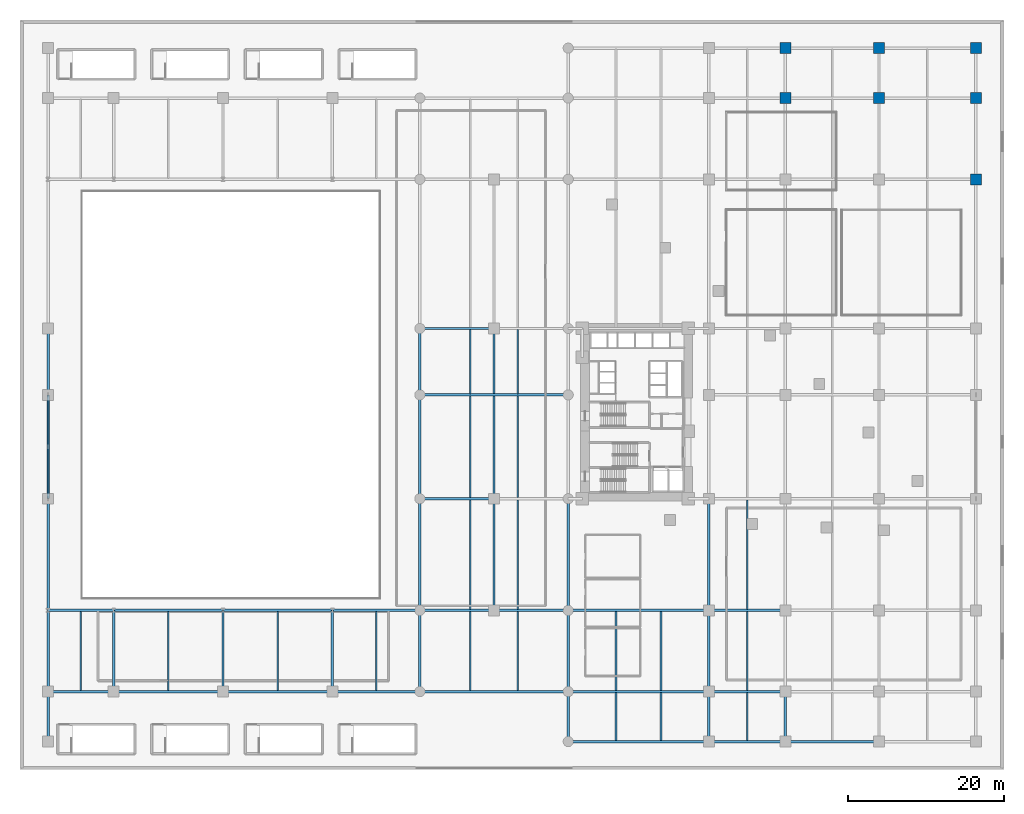
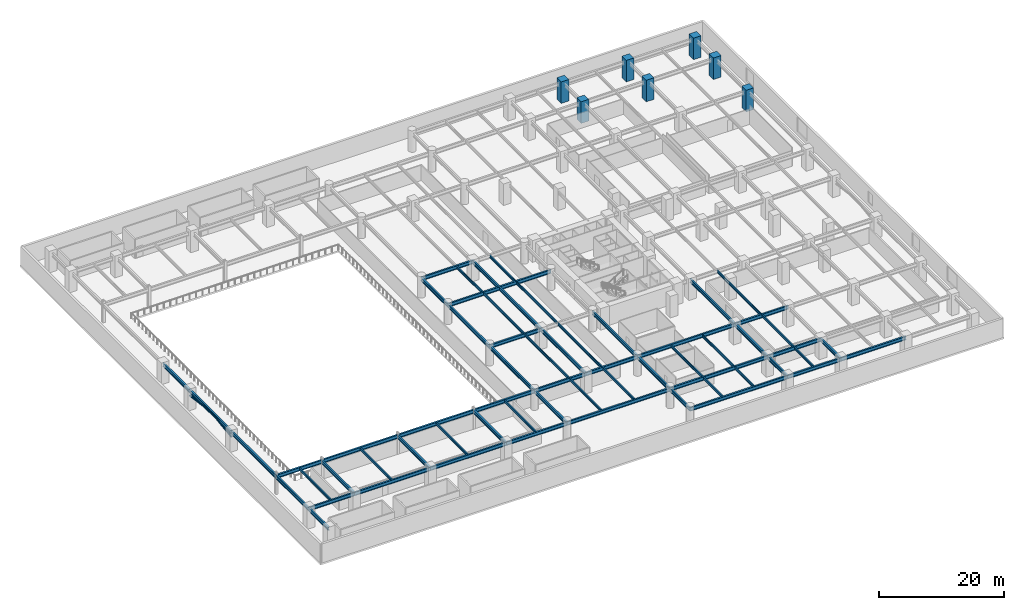
# One storey, part 4 of 20: 61 beams, 7 columns, 2 members.
"""IFC4 building model written with IfcOpenShell, lengths in metres."""

from ifc_helpers import new_model, si_unit, direction, frame, origin, origin_2d, place, context, subcontext, project, spatial, rectangle, hollow_circle, i_section, extrude, material, material_profile, profile_set, type_object, element, save


model = new_model("IFC4")

# Units and contexts
model_context = context("Model", 3, precision=1e-05, world=origin(), true_north=direction((0.0, 1.0)))
body_context = subcontext(model_context, "Body", "Model", "MODEL_VIEW")
ifc_project = project(units=[si_unit("LENGTHUNIT", "METRE"), si_unit("AREAUNIT", "SQUARE_METRE"), si_unit("VOLUMEUNIT", "CUBIC_METRE"), si_unit("PLANEANGLEUNIT", "RADIAN"), si_unit("MASSUNIT", "GRAM", prefix="KILO")], contexts=[model_context])

# Site, building, storey
site_placement = place(None, origin())
site = spatial("IfcSite", under=ifc_project, at=site_placement, CompositionType="ELEMENT")
building_placement = place(site_placement, origin())
building = spatial("IfcBuilding", under=site, at=building_placement, Name="Narakoshi Arena Tower", CompositionType="ELEMENT")
storey_placement = place(building_placement, frame((0.0, 0.0, 17.39990234375)))
storey = spatial("IfcBuildingStorey", under=building, at=storey_placement, Name="L04", CompositionType="ELEMENT", Elevation=17.39990234375)

# Columns
ifc_material_1 = material(Name="Concrete C60/75", Category="concrete")
ifc_material_profile_1 = material_profile(ifc_material_1, rectangle(XDim=1.39990234375, YDim=1.39990234375, at=origin_2d()), Name="RC1400x1400")
ifc_profile_set_1 = profile_set([ifc_material_profile_1], Name="Concrete C60/75")
column_type = type_object("IfcColumnType", Name="COL-RC1400", PredefinedType="COLUMN", material=ifc_profile_set_1)
for number, where, z_axis, x_axis, name in (
    (1, (98.0, 86.0, 0.0), (0.0, 0.0, 1.0), (1.0, 0.0, 0.0), "L04 Podium Column PC58"),
    (2, (98.0, 92.39990234375, 0.0), (0.0, 0.0, 1.0), (1.0, 0.0, 0.0), "L04 Podium Column PC59"),
    (3, (110.0, 86.0, 0.0), (0.0, 0.0, 1.0), (1.0, 0.0, 0.0), "L04 Podium Column PC67"),
    (4, (110.0, 92.39990234375, 0.0), (0.0, 0.0, 1.0), (1.0, 0.0, 0.0), "L04 Podium Column PC68"),
    (5, (122.39990234375, 75.60009765625, 0.0), (0.0, 0.0, 1.0), (1.0, 0.0, 0.0), "L04 Podium Column PC75"),
    (6, (122.39990234375, 86.0, 0.0), (0.0, 0.0, 1.0), (1.0, 0.0, 0.0), "L04 Podium Column PC76"),
    (7, (122.39990234375, 92.39990234375, 0.0), (0.0, 0.0, 1.0), (1.0, 0.0, 0.0), "L04 Podium Column PC77"),
):
    element("IfcColumn", number, at=place(storey_placement, frame(where, z_axis=z_axis, x_axis=x_axis)), inside=storey, type_object=column_type, Name=name, PredefinedType="COLUMN", context=body_context, shape_type="SweptSolid", body=[
        extrude(rectangle(XDim=1.39990234375, YDim=1.39990234375, at=origin_2d()), origin(), (0.0, 0.0, 1.0), 4.2001953125),
    ])

# Beams
ifc_material_2 = material(Name="Structural steel S355J2", Category="steel")
ifc_material_profile_2 = material_profile(ifc_material_2, i_section(OverallWidth=0.300048828125, OverallDepth=0.699951171875, WebThickness=0.01708984375, FlangeThickness=0.031982421875, FilletRadius=0.027099609375, at=origin_2d()), Name="HE700B")
ifc_profile_set_2 = profile_set([ifc_material_profile_2], Name="Structural steel S355J2")
beam_type_1 = type_object("IfcBeamType", Name="BM-PRI-700", PredefinedType="BEAM", material=ifc_profile_set_2)
beam_1_placement = place(storey_placement, frame((70.199951171875, 3.60009765625, 3.35009765625), z_axis=(1.0, 0.0, 0.0), x_axis=(0.0, 1.0, 0.0)))
element("IfcBeam", 8, at=beam_1_placement, inside=storey, type_object=beam_type_1, Name="L04 Podium Primary X-Girder 001", PredefinedType="BEAM", context=body_context, shape_type="SweptSolid", body=[
    extrude(i_section(OverallWidth=0.300048828125, OverallDepth=0.699951171875, WebThickness=0.01708984375, FlangeThickness=0.031982421875, FilletRadius=0.027099609375, at=origin_2d()), origin(), (0.0, 0.0, 1.0), 18.0),
])
beam_2_placement = place(storey_placement, frame((88.199951171875, 3.60009765625, 3.35009765625), z_axis=(1.0, 0.0, 0.0), x_axis=(0.0, 1.0, 0.0)))
element("IfcBeam", 9, at=beam_2_placement, inside=storey, type_object=beam_type_1, Name="L04 Podium Primary X-Girder 002", PredefinedType="BEAM", context=body_context, shape_type="SweptSolid", body=[
    extrude(i_section(OverallWidth=0.300048828125, OverallDepth=0.699951171875, WebThickness=0.01708984375, FlangeThickness=0.031982421875, FilletRadius=0.027099609375, at=origin_2d()), origin(), (0.0, 0.0, 1.0), 9.800048828125),
])
beam_3_placement = place(storey_placement, frame((98.0, 3.60009765625, 3.35009765625), z_axis=(1.0, 0.0, 0.0), x_axis=(0.0, 1.0, 0.0)))
element("IfcBeam", 10, at=beam_3_placement, inside=storey, type_object=beam_type_1, Name="L04 Podium Primary X-Girder 003", PredefinedType="BEAM", context=body_context, shape_type="SweptSolid", body=[
    extrude(i_section(OverallWidth=0.300048828125, OverallDepth=0.699951171875, WebThickness=0.01708984375, FlangeThickness=0.031982421875, FilletRadius=0.027099609375, at=origin_2d()), origin(), (0.0, 0.0, 1.0), 12.0),
])
beam_4_placement = place(storey_placement, frame((3.60009765625, 10.0, 3.35009765625), z_axis=(1.0, 0.0, 0.0), x_axis=(0.0, 1.0, 0.0)))
element("IfcBeam", 11, at=beam_4_placement, inside=storey, type_object=beam_type_1, Name="L04 Podium Primary X-Girder 005", PredefinedType="BEAM", context=body_context, shape_type="SweptSolid", body=[
    extrude(i_section(OverallWidth=0.300048828125, OverallDepth=0.699951171875, WebThickness=0.01708984375, FlangeThickness=0.031982421875, FilletRadius=0.027099609375, at=origin_2d()), origin(), (0.0, 0.0, 1.0), 8.39990234375),
])
for number, where, z_axis, x_axis, name in (
    (12, (12.0, 10.0, 3.35009765625), (1.0, 0.0, 0.0), (0.0, 1.0, 0.0), "L04 Podium Primary X-Girder 006"),
    (13, (26.0, 10.0, 3.35009765625), (1.0, 0.0, 0.0), (0.0, 1.0, 0.0), "L04 Podium Primary X-Girder 007"),
):
    element("IfcBeam", number, at=place(storey_placement, frame(where, z_axis=z_axis, x_axis=x_axis)), inside=storey, type_object=beam_type_1, Name=name, PredefinedType="BEAM", context=body_context, shape_type="SweptSolid", body=[
        extrude(i_section(OverallWidth=0.300048828125, OverallDepth=0.699951171875, WebThickness=0.01708984375, FlangeThickness=0.031982421875, FilletRadius=0.027099609375, at=origin_2d()), origin(), (0.0, 0.0, 1.0), 14.0),
    ])
beam_5_placement = place(storey_placement, frame((40.0, 10.0, 3.35009765625), z_axis=(1.0, 0.0, 0.0), x_axis=(0.0, 1.0, 0.0)))
element("IfcBeam", 14, at=beam_5_placement, inside=storey, type_object=beam_type_1, Name="L04 Podium Primary X-Girder 008", PredefinedType="BEAM", context=body_context, shape_type="SweptSolid", body=[
    extrude(i_section(OverallWidth=0.300048828125, OverallDepth=0.699951171875, WebThickness=0.01708984375, FlangeThickness=0.031982421875, FilletRadius=0.027099609375, at=origin_2d()), origin(), (0.0, 0.0, 1.0), 11.199951171875),
])
beam_6_placement = place(storey_placement, frame((51.199951171875, 10.0, 3.35009765625), z_axis=(1.0, 0.0, 0.0), x_axis=(0.0, 1.0, 0.0)))
element("IfcBeam", 15, at=beam_6_placement, inside=storey, type_object=beam_type_1, Name="L04 Podium Primary X-Girder 009", PredefinedType="BEAM", context=body_context, shape_type="SweptSolid", body=[
    extrude(i_section(OverallWidth=0.300048828125, OverallDepth=0.699951171875, WebThickness=0.01708984375, FlangeThickness=0.031982421875, FilletRadius=0.027099609375, at=origin_2d()), origin(), (0.0, 0.0, 1.0), 19.0),
])
beam_7_placement = place(storey_placement, frame((70.199951171875, 10.0, 3.35009765625), z_axis=(1.0, 0.0, 0.0), x_axis=(0.0, 1.0, 0.0)))
element("IfcBeam", 16, at=beam_7_placement, inside=storey, type_object=beam_type_1, Name="L04 Podium Primary X-Girder 010", PredefinedType="BEAM", context=body_context, shape_type="SweptSolid", body=[
    extrude(i_section(OverallWidth=0.300048828125, OverallDepth=0.699951171875, WebThickness=0.01708984375, FlangeThickness=0.031982421875, FilletRadius=0.027099609375, at=origin_2d()), origin(), (0.0, 0.0, 1.0), 18.0),
])
beam_8_placement = place(storey_placement, frame((88.199951171875, 10.0, 3.35009765625), z_axis=(1.0, 0.0, 0.0), x_axis=(0.0, 1.0, 0.0)))
element("IfcBeam", 17, at=beam_8_placement, inside=storey, type_object=beam_type_1, Name="L04 Podium Primary X-Girder 011", PredefinedType="BEAM", context=body_context, shape_type="SweptSolid", body=[
    extrude(i_section(OverallWidth=0.300048828125, OverallDepth=0.699951171875, WebThickness=0.01708984375, FlangeThickness=0.031982421875, FilletRadius=0.027099609375, at=origin_2d()), origin(), (0.0, 0.0, 1.0), 9.800048828125),
])
beam_9_placement = place(storey_placement, frame((3.60009765625, 20.39990234375, 3.35009765625), z_axis=(1.0, 0.0, 0.0), x_axis=(0.0, 1.0, 0.0)))
element("IfcBeam", 18, at=beam_9_placement, inside=storey, type_object=beam_type_1, Name="L04 Podium Primary X-Girder 014", PredefinedType="BEAM", context=body_context, shape_type="SweptSolid", body=[
    extrude(i_section(OverallWidth=0.300048828125, OverallDepth=0.699951171875, WebThickness=0.01708984375, FlangeThickness=0.031982421875, FilletRadius=0.027099609375, at=origin_2d()), origin(), (0.0, 0.0, 1.0), 8.39990234375),
])
for number, where, z_axis, x_axis, name in (
    (19, (12.0, 20.39990234375, 3.35009765625), (1.0, 0.0, 0.0), (0.0, 1.0, 0.0), "L04 Podium Primary X-Girder 015"),
    (20, (26.0, 20.39990234375, 3.35009765625), (1.0, 0.0, 0.0), (0.0, 1.0, 0.0), "L04 Podium Primary X-Girder 016"),
):
    element("IfcBeam", number, at=place(storey_placement, frame(where, z_axis=z_axis, x_axis=x_axis)), inside=storey, type_object=beam_type_1, Name=name, PredefinedType="BEAM", context=body_context, shape_type="SweptSolid", body=[
        extrude(i_section(OverallWidth=0.300048828125, OverallDepth=0.699951171875, WebThickness=0.01708984375, FlangeThickness=0.031982421875, FilletRadius=0.027099609375, at=origin_2d()), origin(), (0.0, 0.0, 1.0), 14.0),
    ])
beam_10_placement = place(storey_placement, frame((40.0, 20.39990234375, 3.35009765625), z_axis=(1.0, 0.0, 0.0), x_axis=(0.0, 1.0, 0.0)))
element("IfcBeam", 21, at=beam_10_placement, inside=storey, type_object=beam_type_1, Name="L04 Podium Primary X-Girder 017", PredefinedType="BEAM", context=body_context, shape_type="SweptSolid", body=[
    extrude(i_section(OverallWidth=0.300048828125, OverallDepth=0.699951171875, WebThickness=0.01708984375, FlangeThickness=0.031982421875, FilletRadius=0.027099609375, at=origin_2d()), origin(), (0.0, 0.0, 1.0), 11.199951171875),
])
for number, where, z_axis, x_axis, name in (
    (22, (51.199951171875, 20.39990234375, 3.35009765625), (1.0, 0.0, 0.0), (0.0, 1.0, 0.0), "L04 Podium Primary X-Girder 018"),
    (23, (60.699951171875, 20.39990234375, 3.35009765625), (1.0, 0.0, 0.0), (0.0, 1.0, 0.0), "L04 Podium Primary X-Girder 019"),
):
    element("IfcBeam", number, at=place(storey_placement, frame(where, z_axis=z_axis, x_axis=x_axis)), inside=storey, type_object=beam_type_1, Name=name, PredefinedType="BEAM", context=body_context, shape_type="SweptSolid", body=[
        extrude(i_section(OverallWidth=0.300048828125, OverallDepth=0.699951171875, WebThickness=0.01708984375, FlangeThickness=0.031982421875, FilletRadius=0.027099609375, at=origin_2d()), origin(), (0.0, 0.0, 1.0), 9.5),
    ])
beam_11_placement = place(storey_placement, frame((70.199951171875, 20.39990234375, 3.35009765625), z_axis=(1.0, 0.0, 0.0), x_axis=(0.0, 1.0, 0.0)))
element("IfcBeam", 24, at=beam_11_placement, inside=storey, type_object=beam_type_1, Name="L04 Podium Primary X-Girder 020", PredefinedType="BEAM", context=body_context, shape_type="SweptSolid", body=[
    extrude(i_section(OverallWidth=0.300048828125, OverallDepth=0.699951171875, WebThickness=0.01708984375, FlangeThickness=0.031982421875, FilletRadius=0.027099609375, at=origin_2d()), origin(), (0.0, 0.0, 1.0), 18.0),
])
beam_12_placement = place(storey_placement, frame((88.199951171875, 20.39990234375, 3.35009765625), z_axis=(1.0, 0.0, 0.0), x_axis=(0.0, 1.0, 0.0)))
element("IfcBeam", 25, at=beam_12_placement, inside=storey, type_object=beam_type_1, Name="L04 Podium Primary X-Girder 021", PredefinedType="BEAM", context=body_context, shape_type="SweptSolid", body=[
    extrude(i_section(OverallWidth=0.300048828125, OverallDepth=0.699951171875, WebThickness=0.01708984375, FlangeThickness=0.031982421875, FilletRadius=0.027099609375, at=origin_2d()), origin(), (0.0, 0.0, 1.0), 9.800048828125),
])
beam_13_placement = place(storey_placement, frame((51.199951171875, 34.699951171875, 3.35009765625), z_axis=(1.0, 0.0, 0.0), x_axis=(0.0, 1.0, 0.0)))
element("IfcBeam", 26, at=beam_13_placement, inside=storey, type_object=beam_type_1, Name="L04 Podium Primary X-Girder 024", PredefinedType="BEAM", context=body_context, shape_type="SweptSolid", body=[
    extrude(i_section(OverallWidth=0.300048828125, OverallDepth=0.699951171875, WebThickness=0.01708984375, FlangeThickness=0.031982421875, FilletRadius=0.027099609375, at=origin_2d()), origin(), (0.0, 0.0, 1.0), 9.5),
])
beam_14_placement = place(storey_placement, frame((51.199951171875, 48.0, 3.35009765625), z_axis=(1.0, 0.0, 0.0), x_axis=(0.0, 1.0, 0.0)))
element("IfcBeam", 27, at=beam_14_placement, inside=storey, type_object=beam_type_1, Name="L04 Podium Primary X-Girder 031", PredefinedType="BEAM", context=body_context, shape_type="SweptSolid", body=[
    extrude(i_section(OverallWidth=0.300048828125, OverallDepth=0.699951171875, WebThickness=0.01708984375, FlangeThickness=0.031982421875, FilletRadius=0.027099609375, at=origin_2d()), origin(), (0.0, 0.0, 1.0), 19.0),
])
beam_15_placement = place(storey_placement, frame((51.199951171875, 56.5, 3.35009765625), z_axis=(1.0, 0.0, 0.0), x_axis=(0.0, 1.0, 0.0)))
element("IfcBeam", 28, at=beam_15_placement, inside=storey, type_object=beam_type_1, Name="L04 Podium Primary X-Girder 035", PredefinedType="BEAM", context=body_context, shape_type="SweptSolid", body=[
    extrude(i_section(OverallWidth=0.300048828125, OverallDepth=0.699951171875, WebThickness=0.01708984375, FlangeThickness=0.031982421875, FilletRadius=0.027099609375, at=origin_2d()), origin(), (0.0, 0.0, 1.0), 9.5),
])
beam_16_placement = place(storey_placement, frame((3.60009765625, 3.60009765625, 3.35009765625), z_axis=(0.0, 1.0, 0.0), x_axis=(-1.0, 0.0, 0.0)))
element("IfcBeam", 29, at=beam_16_placement, inside=storey, type_object=beam_type_1, Name="L04 Podium Primary Y-Girder 066", PredefinedType="BEAM", context=body_context, shape_type="SweptSolid", body=[
    extrude(i_section(OverallWidth=0.300048828125, OverallDepth=0.699951171875, WebThickness=0.01708984375, FlangeThickness=0.031982421875, FilletRadius=0.027099609375, at=origin_2d()), origin(), (0.0, 0.0, 1.0), 6.39990234375),
])
beam_17_placement = place(storey_placement, frame((3.60009765625, 10.0, 3.35009765625), z_axis=(0.0, 1.0, 0.0), x_axis=(-1.0, 0.0, 0.0)))
element("IfcBeam", 30, at=beam_17_placement, inside=storey, type_object=beam_type_1, Name="L04 Podium Primary Y-Girder 067", PredefinedType="BEAM", context=body_context, shape_type="SweptSolid", body=[
    extrude(i_section(OverallWidth=0.300048828125, OverallDepth=0.699951171875, WebThickness=0.01708984375, FlangeThickness=0.031982421875, FilletRadius=0.027099609375, at=origin_2d()), origin(), (0.0, 0.0, 1.0), 10.39990234375),
])
beam_18_placement = place(storey_placement, frame((3.60009765625, 20.39990234375, 3.35009765625), z_axis=(0.0, 1.0, 0.0), x_axis=(-1.0, 0.0, 0.0)))
element("IfcBeam", 31, at=beam_18_placement, inside=storey, type_object=beam_type_1, Name="L04 Podium Primary Y-Girder 068", PredefinedType="BEAM", context=body_context, shape_type="SweptSolid", body=[
    extrude(i_section(OverallWidth=0.300048828125, OverallDepth=0.699951171875, WebThickness=0.01708984375, FlangeThickness=0.031982421875, FilletRadius=0.027099609375, at=origin_2d()), origin(), (0.0, 0.0, 1.0), 14.300048828125),
])
beam_19_placement = place(storey_placement, frame((3.60009765625, 34.699951171875, 3.35009765625), z_axis=(0.0, 1.0, 0.0), x_axis=(-1.0, 0.0, 0.0)))
element("IfcBeam", 32, at=beam_19_placement, inside=storey, type_object=beam_type_1, Name="L04 Podium Primary Y-Girder 069", PredefinedType="BEAM", context=body_context, shape_type="SweptSolid", body=[
    extrude(i_section(OverallWidth=0.300048828125, OverallDepth=0.699951171875, WebThickness=0.01708984375, FlangeThickness=0.031982421875, FilletRadius=0.027099609375, at=origin_2d()), origin(), (0.0, 0.0, 1.0), 13.300048828125),
])
beam_20_placement = place(storey_placement, frame((3.60009765625, 48.0, 3.35009765625), z_axis=(0.0, 1.0, 0.0), x_axis=(-1.0, 0.0, 0.0)))
element("IfcBeam", 33, at=beam_20_placement, inside=storey, type_object=beam_type_1, Name="L04 Podium Primary Y-Girder 070", PredefinedType="BEAM", context=body_context, shape_type="SweptSolid", body=[
    extrude(i_section(OverallWidth=0.300048828125, OverallDepth=0.699951171875, WebThickness=0.01708984375, FlangeThickness=0.031982421875, FilletRadius=0.027099609375, at=origin_2d()), origin(), (0.0, 0.0, 1.0), 8.5),
])
for number, where, z_axis, x_axis, name in (
    (34, (12.0, 10.0, 3.35009765625), (0.0, 1.0, 0.0), (-1.0, 0.0, 0.0), "L04 Podium Primary Y-Girder 074"),
    (35, (26.0, 10.0, 3.35009765625), (0.0, 1.0, 0.0), (-1.0, 0.0, 0.0), "L04 Podium Primary Y-Girder 076"),
    (36, (40.0, 10.0, 3.35009765625), (0.0, 1.0, 0.0), (-1.0, 0.0, 0.0), "L04 Podium Primary Y-Girder 078"),
    (37, (51.199951171875, 10.0, 3.35009765625), (0.0, 1.0, 0.0), (-1.0, 0.0, 0.0), "L04 Podium Primary Y-Girder 080"),
):
    element("IfcBeam", number, at=place(storey_placement, frame(where, z_axis=z_axis, x_axis=x_axis)), inside=storey, type_object=beam_type_1, Name=name, PredefinedType="BEAM", context=body_context, shape_type="SweptSolid", body=[
        extrude(i_section(OverallWidth=0.300048828125, OverallDepth=0.699951171875, WebThickness=0.01708984375, FlangeThickness=0.031982421875, FilletRadius=0.027099609375, at=origin_2d()), origin(), (0.0, 0.0, 1.0), 10.39990234375),
    ])
beam_21_placement = place(storey_placement, frame((51.199951171875, 20.39990234375, 3.35009765625), z_axis=(0.0, 1.0, 0.0), x_axis=(-1.0, 0.0, 0.0)))
element("IfcBeam", 38, at=beam_21_placement, inside=storey, type_object=beam_type_1, Name="L04 Podium Primary Y-Girder 081", PredefinedType="BEAM", context=body_context, shape_type="SweptSolid", body=[
    extrude(i_section(OverallWidth=0.300048828125, OverallDepth=0.699951171875, WebThickness=0.01708984375, FlangeThickness=0.031982421875, FilletRadius=0.027099609375, at=origin_2d()), origin(), (0.0, 0.0, 1.0), 14.300048828125),
])
beam_22_placement = place(storey_placement, frame((51.199951171875, 34.699951171875, 3.35009765625), z_axis=(0.0, 1.0, 0.0), x_axis=(-1.0, 0.0, 0.0)))
element("IfcBeam", 39, at=beam_22_placement, inside=storey, type_object=beam_type_1, Name="L04 Podium Primary Y-Girder 082", PredefinedType="BEAM", context=body_context, shape_type="SweptSolid", body=[
    extrude(i_section(OverallWidth=0.300048828125, OverallDepth=0.699951171875, WebThickness=0.01708984375, FlangeThickness=0.031982421875, FilletRadius=0.027099609375, at=origin_2d()), origin(), (0.0, 0.0, 1.0), 13.300048828125),
])
beam_23_placement = place(storey_placement, frame((51.199951171875, 48.0, 3.35009765625), z_axis=(0.0, 1.0, 0.0), x_axis=(-1.0, 0.0, 0.0)))
element("IfcBeam", 40, at=beam_23_placement, inside=storey, type_object=beam_type_1, Name="L04 Podium Primary Y-Girder 083", PredefinedType="BEAM", context=body_context, shape_type="SweptSolid", body=[
    extrude(i_section(OverallWidth=0.300048828125, OverallDepth=0.699951171875, WebThickness=0.01708984375, FlangeThickness=0.031982421875, FilletRadius=0.027099609375, at=origin_2d()), origin(), (0.0, 0.0, 1.0), 8.5),
])
beam_24_placement = place(storey_placement, frame((60.699951171875, 20.39990234375, 3.35009765625), z_axis=(0.0, 1.0, 0.0), x_axis=(-1.0, 0.0, 0.0)))
element("IfcBeam", 41, at=beam_24_placement, inside=storey, type_object=beam_type_1, Name="L04 Podium Primary Y-Girder 086", PredefinedType="BEAM", context=body_context, shape_type="SweptSolid", body=[
    extrude(i_section(OverallWidth=0.300048828125, OverallDepth=0.699951171875, WebThickness=0.01708984375, FlangeThickness=0.031982421875, FilletRadius=0.027099609375, at=origin_2d()), origin(), (0.0, 0.0, 1.0), 14.300048828125),
])
beam_25_placement = place(storey_placement, frame((60.699951171875, 34.699951171875, 3.35009765625), z_axis=(0.0, 1.0, 0.0), x_axis=(-1.0, 0.0, 0.0)))
element("IfcBeam", 42, at=beam_25_placement, inside=storey, type_object=beam_type_1, Name="L04 Podium Primary Y-Girder 087", PredefinedType="BEAM", context=body_context, shape_type="SweptSolid", body=[
    extrude(i_section(OverallWidth=0.300048828125, OverallDepth=0.699951171875, WebThickness=0.01708984375, FlangeThickness=0.031982421875, FilletRadius=0.027099609375, at=origin_2d()), origin(), (0.0, 0.0, 1.0), 21.800048828125),
])
beam_26_placement = place(storey_placement, frame((70.199951171875, 3.60009765625, 3.35009765625), z_axis=(0.0, 1.0, 0.0), x_axis=(-1.0, 0.0, 0.0)))
element("IfcBeam", 43, at=beam_26_placement, inside=storey, type_object=beam_type_1, Name="L04 Podium Primary Y-Girder 089", PredefinedType="BEAM", context=body_context, shape_type="SweptSolid", body=[
    extrude(i_section(OverallWidth=0.300048828125, OverallDepth=0.699951171875, WebThickness=0.01708984375, FlangeThickness=0.031982421875, FilletRadius=0.027099609375, at=origin_2d()), origin(), (0.0, 0.0, 1.0), 6.39990234375),
])
beam_27_placement = place(storey_placement, frame((70.199951171875, 10.0, 3.35009765625), z_axis=(0.0, 1.0, 0.0), x_axis=(-1.0, 0.0, 0.0)))
element("IfcBeam", 44, at=beam_27_placement, inside=storey, type_object=beam_type_1, Name="L04 Podium Primary Y-Girder 090", PredefinedType="BEAM", context=body_context, shape_type="SweptSolid", body=[
    extrude(i_section(OverallWidth=0.300048828125, OverallDepth=0.699951171875, WebThickness=0.01708984375, FlangeThickness=0.031982421875, FilletRadius=0.027099609375, at=origin_2d()), origin(), (0.0, 0.0, 1.0), 10.39990234375),
])
beam_28_placement = place(storey_placement, frame((70.199951171875, 20.39990234375, 3.35009765625), z_axis=(0.0, 1.0, 0.0), x_axis=(-1.0, 0.0, 0.0)))
element("IfcBeam", 45, at=beam_28_placement, inside=storey, type_object=beam_type_1, Name="L04 Podium Primary Y-Girder 091", PredefinedType="BEAM", context=body_context, shape_type="SweptSolid", body=[
    extrude(i_section(OverallWidth=0.300048828125, OverallDepth=0.699951171875, WebThickness=0.01708984375, FlangeThickness=0.031982421875, FilletRadius=0.027099609375, at=origin_2d()), origin(), (0.0, 0.0, 1.0), 14.300048828125),
])
beam_29_placement = place(storey_placement, frame((88.199951171875, 3.60009765625, 3.35009765625), z_axis=(0.0, 1.0, 0.0), x_axis=(-1.0, 0.0, 0.0)))
element("IfcBeam", 46, at=beam_29_placement, inside=storey, type_object=beam_type_1, Name="L04 Podium Primary Y-Girder 098", PredefinedType="BEAM", context=body_context, shape_type="SweptSolid", body=[
    extrude(i_section(OverallWidth=0.300048828125, OverallDepth=0.699951171875, WebThickness=0.01708984375, FlangeThickness=0.031982421875, FilletRadius=0.027099609375, at=origin_2d()), origin(), (0.0, 0.0, 1.0), 6.39990234375),
])
beam_30_placement = place(storey_placement, frame((88.199951171875, 10.0, 3.35009765625), z_axis=(0.0, 1.0, 0.0), x_axis=(-1.0, 0.0, 0.0)))
element("IfcBeam", 47, at=beam_30_placement, inside=storey, type_object=beam_type_1, Name="L04 Podium Primary Y-Girder 099", PredefinedType="BEAM", context=body_context, shape_type="SweptSolid", body=[
    extrude(i_section(OverallWidth=0.300048828125, OverallDepth=0.699951171875, WebThickness=0.01708984375, FlangeThickness=0.031982421875, FilletRadius=0.027099609375, at=origin_2d()), origin(), (0.0, 0.0, 1.0), 10.39990234375),
])
beam_31_placement = place(storey_placement, frame((88.199951171875, 20.39990234375, 3.35009765625), z_axis=(0.0, 1.0, 0.0), x_axis=(-1.0, 0.0, 0.0)))
element("IfcBeam", 48, at=beam_31_placement, inside=storey, type_object=beam_type_1, Name="L04 Podium Primary Y-Girder 100", PredefinedType="BEAM", context=body_context, shape_type="SweptSolid", body=[
    extrude(i_section(OverallWidth=0.300048828125, OverallDepth=0.699951171875, WebThickness=0.01708984375, FlangeThickness=0.031982421875, FilletRadius=0.027099609375, at=origin_2d()), origin(), (0.0, 0.0, 1.0), 14.300048828125),
])
beam_32_placement = place(storey_placement, frame((98.0, 3.60009765625, 3.35009765625), z_axis=(0.0, 1.0, 0.0), x_axis=(-1.0, 0.0, 0.0)))
element("IfcBeam", 49, at=beam_32_placement, inside=storey, type_object=beam_type_1, Name="L04 Podium Primary Y-Girder 106", PredefinedType="BEAM", context=body_context, shape_type="SweptSolid", body=[
    extrude(i_section(OverallWidth=0.300048828125, OverallDepth=0.699951171875, WebThickness=0.01708984375, FlangeThickness=0.031982421875, FilletRadius=0.027099609375, at=origin_2d()), origin(), (0.0, 0.0, 1.0), 6.39990234375),
])
ifc_material_profile_3 = material_profile(ifc_material_2, i_section(OverallWidth=0.199951171875, OverallDepth=0.5, WebThickness=0.01025390625, FlangeThickness=0.01611328125, FilletRadius=0.02099609375, at=origin_2d()), Name="IPE500")
ifc_profile_set_3 = profile_set([ifc_material_profile_3], Name="Structural steel S355J2")
beam_type_2 = type_object("IfcBeamType", Name="BM-SEC-500", PredefinedType="JOIST", material=ifc_profile_set_3)
for number, where, z_axis, x_axis, name in (
    (50, (7.800048828125, 10.135009765625, 3.4501953125), (0.0, 1.0, 0.0), (-1.0, 0.0, 0.0), "L04 Podium Composite Floor Joist 001"),
    (51, (19.0, 10.135009765625, 3.4501953125), (0.0, 1.0, 0.0), (-1.0, 0.0, 0.0), "L04 Podium Composite Floor Joist 003"),
    (52, (33.0, 10.135009765625, 3.4501953125), (0.0, 1.0, 0.0), (-1.0, 0.0, 0.0), "L04 Podium Composite Floor Joist 005"),
    (53, (45.60009765625, 10.135009765625, 3.4501953125), (0.0, 1.0, 0.0), (-1.0, 0.0, 0.0), "L04 Podium Composite Floor Joist 007"),
    (54, (57.659912109375, 10.135009765625, 3.4501953125), (0.0, 1.0, 0.0), (-1.0, 0.0, 0.0), "L04 Podium Composite Floor Joist 009"),
):
    element("IfcBeam", number, at=place(storey_placement, frame(where, z_axis=z_axis, x_axis=x_axis)), inside=storey, type_object=beam_type_2, Name=name, PredefinedType="JOIST", context=body_context, shape_type="SweptSolid", body=[
        extrude(i_section(OverallWidth=0.199951171875, OverallDepth=0.5, WebThickness=0.01025390625, FlangeThickness=0.01611328125, FilletRadius=0.02099609375, at=origin_2d()), origin(), (0.0, 0.0, 1.0), 10.1298828125),
    ])
beam_33_placement = place(storey_placement, frame((57.659912109375, 20.534912109375, 3.4501953125), z_axis=(0.0, 1.0, 0.0), x_axis=(-1.0, 0.0, 0.0)))
element("IfcBeam", 55, at=beam_33_placement, inside=storey, type_object=beam_type_2, Name="L04 Podium Composite Floor Joist 010", PredefinedType="JOIST", context=body_context, shape_type="SweptSolid", body=[
    extrude(i_section(OverallWidth=0.199951171875, OverallDepth=0.5, WebThickness=0.01025390625, FlangeThickness=0.01611328125, FilletRadius=0.02099609375, at=origin_2d()), origin(), (0.0, 0.0, 1.0), 14.030029296875),
])
beam_34_placement = place(storey_placement, frame((57.659912109375, 34.8349609375, 3.4501953125), z_axis=(0.0, 1.0, 0.0), x_axis=(-1.0, 0.0, 0.0)))
element("IfcBeam", 56, at=beam_34_placement, inside=storey, type_object=beam_type_2, Name="L04 Podium Composite Floor Joist 011", PredefinedType="JOIST", context=body_context, shape_type="SweptSolid", body=[
    extrude(i_section(OverallWidth=0.199951171875, OverallDepth=0.5, WebThickness=0.01025390625, FlangeThickness=0.01611328125, FilletRadius=0.02099609375, at=origin_2d()), origin(), (0.0, 0.0, 1.0), 13.030029296875),
])
beam_35_placement = place(storey_placement, frame((57.659912109375, 48.135009765625, 3.4501953125), z_axis=(0.0, 1.0, 0.0), x_axis=(-1.0, 0.0, 0.0)))
element("IfcBeam", 57, at=beam_35_placement, inside=storey, type_object=beam_type_2, Name="L04 Podium Composite Floor Joist 012", PredefinedType="JOIST", context=body_context, shape_type="SweptSolid", body=[
    extrude(i_section(OverallWidth=0.199951171875, OverallDepth=0.5, WebThickness=0.01025390625, FlangeThickness=0.01611328125, FilletRadius=0.02099609375, at=origin_2d()), origin(), (0.0, 0.0, 1.0), 8.22998046875),
])
beam_36_placement = place(storey_placement, frame((63.739990234375, 10.135009765625, 3.4501953125), z_axis=(0.0, 1.0, 0.0), x_axis=(-1.0, 0.0, 0.0)))
element("IfcBeam", 58, at=beam_36_placement, inside=storey, type_object=beam_type_2, Name="L04 Podium Composite Floor Joist 015", PredefinedType="JOIST", context=body_context, shape_type="SweptSolid", body=[
    extrude(i_section(OverallWidth=0.199951171875, OverallDepth=0.5, WebThickness=0.01025390625, FlangeThickness=0.01611328125, FilletRadius=0.02099609375, at=origin_2d()), origin(), (0.0, 0.0, 1.0), 10.1298828125),
])
beam_37_placement = place(storey_placement, frame((63.739990234375, 20.534912109375, 3.4501953125), z_axis=(0.0, 1.0, 0.0), x_axis=(-1.0, 0.0, 0.0)))
element("IfcBeam", 59, at=beam_37_placement, inside=storey, type_object=beam_type_2, Name="L04 Podium Composite Floor Joist 016", PredefinedType="JOIST", context=body_context, shape_type="SweptSolid", body=[
    extrude(i_section(OverallWidth=0.199951171875, OverallDepth=0.5, WebThickness=0.01025390625, FlangeThickness=0.01611328125, FilletRadius=0.02099609375, at=origin_2d()), origin(), (0.0, 0.0, 1.0), 14.030029296875),
])
beam_38_placement = place(storey_placement, frame((63.739990234375, 34.8349609375, 3.4501953125), z_axis=(0.0, 1.0, 0.0), x_axis=(-1.0, 0.0, 0.0)))
element("IfcBeam", 60, at=beam_38_placement, inside=storey, type_object=beam_type_2, Name="L04 Podium Composite Floor Joist 017", PredefinedType="JOIST", context=body_context, shape_type="SweptSolid", body=[
    extrude(i_section(OverallWidth=0.199951171875, OverallDepth=0.5, WebThickness=0.01025390625, FlangeThickness=0.01611328125, FilletRadius=0.02099609375, at=origin_2d()), origin(), (0.0, 0.0, 1.0), 13.030029296875),
])
beam_39_placement = place(storey_placement, frame((63.739990234375, 48.135009765625, 3.4501953125), z_axis=(0.0, 1.0, 0.0), x_axis=(-1.0, 0.0, 0.0)))
element("IfcBeam", 61, at=beam_39_placement, inside=storey, type_object=beam_type_2, Name="L04 Podium Composite Floor Joist 018", PredefinedType="JOIST", context=body_context, shape_type="SweptSolid", body=[
    extrude(i_section(OverallWidth=0.199951171875, OverallDepth=0.5, WebThickness=0.01025390625, FlangeThickness=0.01611328125, FilletRadius=0.02099609375, at=origin_2d()), origin(), (0.0, 0.0, 1.0), 8.22998046875),
])
beam_40_placement = place(storey_placement, frame((76.320068359375, 3.735107421875, 3.4501953125), z_axis=(0.0, 1.0, 0.0), x_axis=(-1.0, 0.0, 0.0)))
element("IfcBeam", 62, at=beam_40_placement, inside=storey, type_object=beam_type_2, Name="L04 Podium Composite Floor Joist 021", PredefinedType="JOIST", context=body_context, shape_type="SweptSolid", body=[
    extrude(i_section(OverallWidth=0.199951171875, OverallDepth=0.5, WebThickness=0.01025390625, FlangeThickness=0.01611328125, FilletRadius=0.02099609375, at=origin_2d()), origin(), (0.0, 0.0, 1.0), 6.1298828125),
])
beam_41_placement = place(storey_placement, frame((76.320068359375, 10.135009765625, 3.4501953125), z_axis=(0.0, 1.0, 0.0), x_axis=(-1.0, 0.0, 0.0)))
element("IfcBeam", 63, at=beam_41_placement, inside=storey, type_object=beam_type_2, Name="L04 Podium Composite Floor Joist 022", PredefinedType="JOIST", context=body_context, shape_type="SweptSolid", body=[
    extrude(i_section(OverallWidth=0.199951171875, OverallDepth=0.5, WebThickness=0.01025390625, FlangeThickness=0.01611328125, FilletRadius=0.02099609375, at=origin_2d()), origin(), (0.0, 0.0, 1.0), 10.1298828125),
])
beam_42_placement = place(storey_placement, frame((82.080078125, 3.735107421875, 3.4501953125), z_axis=(0.0, 1.0, 0.0), x_axis=(-1.0, 0.0, 0.0)))
element("IfcBeam", 64, at=beam_42_placement, inside=storey, type_object=beam_type_2, Name="L04 Podium Composite Floor Joist 026", PredefinedType="JOIST", context=body_context, shape_type="SweptSolid", body=[
    extrude(i_section(OverallWidth=0.199951171875, OverallDepth=0.5, WebThickness=0.01025390625, FlangeThickness=0.01611328125, FilletRadius=0.02099609375, at=origin_2d()), origin(), (0.0, 0.0, 1.0), 6.1298828125),
])
beam_43_placement = place(storey_placement, frame((82.080078125, 10.135009765625, 3.4501953125), z_axis=(0.0, 1.0, 0.0), x_axis=(-1.0, 0.0, 0.0)))
element("IfcBeam", 65, at=beam_43_placement, inside=storey, type_object=beam_type_2, Name="L04 Podium Composite Floor Joist 027", PredefinedType="JOIST", context=body_context, shape_type="SweptSolid", body=[
    extrude(i_section(OverallWidth=0.199951171875, OverallDepth=0.5, WebThickness=0.01025390625, FlangeThickness=0.01611328125, FilletRadius=0.02099609375, at=origin_2d()), origin(), (0.0, 0.0, 1.0), 10.1298828125),
])
beam_44_placement = place(storey_placement, frame((93.10009765625, 3.735107421875, 3.4501953125), z_axis=(0.0, 1.0, 0.0), x_axis=(-1.0, 0.0, 0.0)))
element("IfcBeam", 66, at=beam_44_placement, inside=storey, type_object=beam_type_2, Name="L04 Podium Composite Floor Joist 031", PredefinedType="JOIST", context=body_context, shape_type="SweptSolid", body=[
    extrude(i_section(OverallWidth=0.199951171875, OverallDepth=0.5, WebThickness=0.01025390625, FlangeThickness=0.01611328125, FilletRadius=0.02099609375, at=origin_2d()), origin(), (0.0, 0.0, 1.0), 6.1298828125),
])
beam_45_placement = place(storey_placement, frame((93.10009765625, 10.135009765625, 3.4501953125), z_axis=(0.0, 1.0, 0.0), x_axis=(-1.0, 0.0, 0.0)))
element("IfcBeam", 67, at=beam_45_placement, inside=storey, type_object=beam_type_2, Name="L04 Podium Composite Floor Joist 032", PredefinedType="JOIST", context=body_context, shape_type="SweptSolid", body=[
    extrude(i_section(OverallWidth=0.199951171875, OverallDepth=0.5, WebThickness=0.01025390625, FlangeThickness=0.01611328125, FilletRadius=0.02099609375, at=origin_2d()), origin(), (0.0, 0.0, 1.0), 10.1298828125),
])
beam_46_placement = place(storey_placement, frame((93.10009765625, 20.534912109375, 3.4501953125), z_axis=(0.0, 1.0, 0.0), x_axis=(-1.0, 0.0, 0.0)))
element("IfcBeam", 68, at=beam_46_placement, inside=storey, type_object=beam_type_2, Name="L04 Podium Composite Floor Joist 033", PredefinedType="JOIST", context=body_context, shape_type="SweptSolid", body=[
    extrude(i_section(OverallWidth=0.199951171875, OverallDepth=0.5, WebThickness=0.01025390625, FlangeThickness=0.01611328125, FilletRadius=0.02099609375, at=origin_2d()), origin(), (0.0, 0.0, 1.0), 14.030029296875),
])

# Members
ifc_material_profile_4 = material_profile(ifc_material_2, hollow_circle(Radius=0.161865234375, WallThickness=0.012451171875, at=origin_2d()), Name="CHS323x12")
ifc_profile_set_4 = profile_set([ifc_material_profile_4], Name="Structural steel S355J2")
member_type = type_object("IfcMemberType", Name="MEM-BR-323", PredefinedType="BRACE", material=ifc_profile_set_4)
member_1_placement = place(storey_placement, frame((3.60009765625, 34.699951171875, 2.400146484375), z_axis=(0.0, 0.989950947335, 0.141411180149), x_axis=(-1.0, 0.0, 0.0)))
element("IfcMember", 69, at=member_1_placement, inside=storey, type_object=member_type, Name="L04 Podium Lateral Brace 1A", PredefinedType="BRACE", context=body_context, shape_type="SweptSolid", body=[
    extrude(hollow_circle(Radius=0.161865234375, WallThickness=0.012451171875, at=origin_2d()), origin(), (0.0, 0.0, 1.0), 6.7177734375),
])
member_2_placement = place(storey_placement, frame((3.60009765625, 48.0, 2.400146484375), z_axis=(0.0, -0.989950220537, 0.141416268012), x_axis=(1.0, 0.0, 0.0)))
element("IfcMember", 70, at=member_2_placement, inside=storey, type_object=member_type, Name="L04 Podium Lateral Brace 1B", PredefinedType="BRACE", context=body_context, shape_type="SweptSolid", body=[
    extrude(hollow_circle(Radius=0.161865234375, WallThickness=0.012451171875, at=origin_2d()), origin(), (0.0, 0.0, 1.0), 6.717529296875),
])

save(model, "model.ifc")
